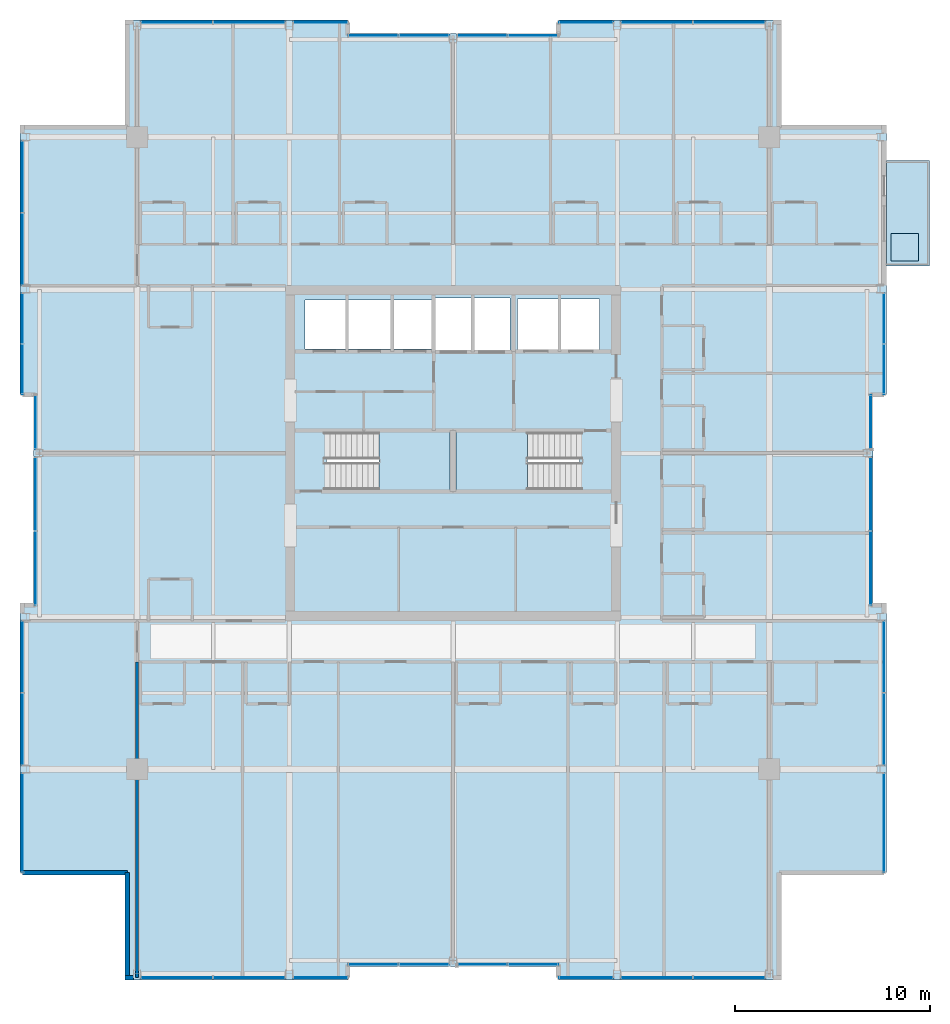
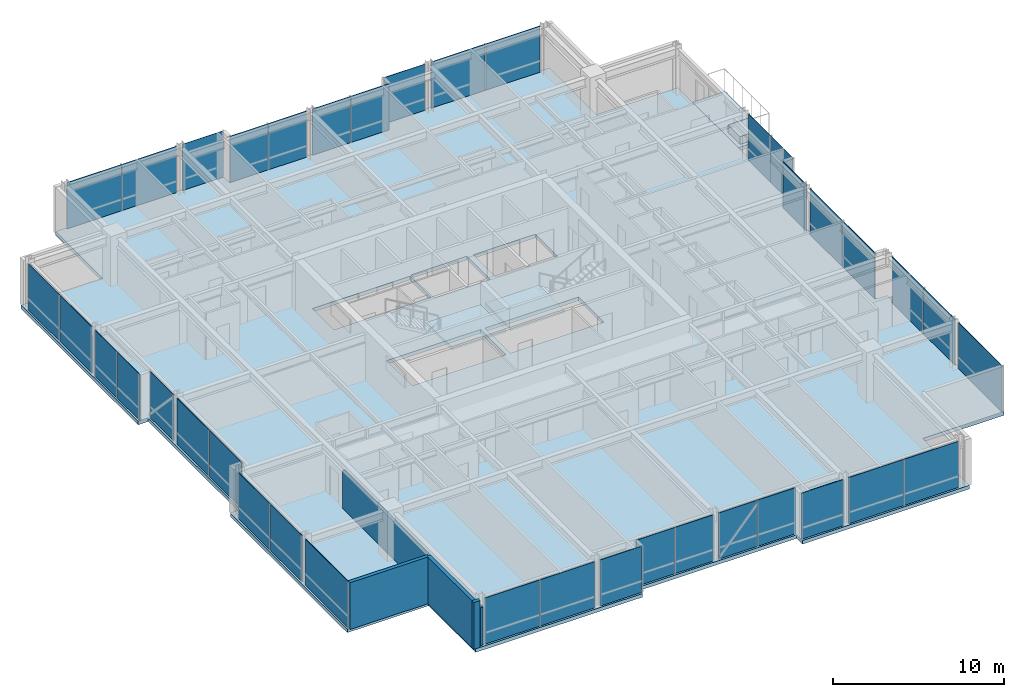
# One storey, part 25 of 33: 38 plates, 5 slabs, 4 walls, 25 elements without a shape of their own.
"""IFC4 building model written with IfcOpenShell, lengths in metres."""

from ifc_helpers import new_model, si_unit, direction, frame, frame_2d, origin, origin_2d, place, context, subcontext, project, spatial, polyline, rectangle, outline, extrude, material, layer, layer_set, type_object, element, aggregate, save


model = new_model("IFC4")

# Units and contexts
model_context = context("Model", 3, precision=1e-05, world=origin(), true_north=direction((0.0, 1.0)))
body_context = subcontext(model_context, "Body", "Model", "MODEL_VIEW")
ifc_project = project(units=[si_unit("LENGTHUNIT", "METRE"), si_unit("AREAUNIT", "SQUARE_METRE"), si_unit("VOLUMEUNIT", "CUBIC_METRE"), si_unit("PLANEANGLEUNIT", "RADIAN"), si_unit("MASSUNIT", "GRAM", prefix="KILO")], contexts=[model_context])

# Site, building, storey
site_placement = place(None, origin())
site = spatial("IfcSite", under=ifc_project, at=site_placement, CompositionType="ELEMENT")
building_placement = place(site_placement, origin())
building = spatial("IfcBuilding", under=site, at=building_placement, Name="Drelvath Grand Hotel", CompositionType="ELEMENT")
storey_placement = place(building_placement, frame((0.0, 0.0, 212.300048828125)))
storey = spatial("IfcBuildingStorey", under=building, at=storey_placement, Name="L55", CompositionType="ELEMENT", Elevation=212.300048828125)

# Slabs
ifc_material_1 = material(Name="Concrete f'c 40 MPa", Category="concrete")
ifc_layer_1 = layer(ifc_material_1, 0.239990234375)
ifc_layer_set_1 = layer_set([ifc_layer_1], Name="Concrete f'c 40 MPa")
slab_type_1 = type_object("IfcSlabType", Name="Cantilevered Tree Balcony Slab 240", PredefinedType="FLOOR", material=ifc_layer_set_1)
slab_1_placement = place(storey_placement, frame((0.0, 0.0, -0.239990234375)))
element("IfcSlab", 1, at=slab_1_placement, inside=storey, type_object=slab_type_1, Name="L55 Cantilevered Tree Balcony Slab 1", PredefinedType="FLOOR", context=body_context, shape_type="SweptSolid", body=[
    extrude(outline(polyline([(22.199951171875, 36.60009765625), (24.39990234375, 36.60009765625), (24.39990234375, 42.0), (22.199951171875, 42.0), (22.199951171875, 36.60009765625)])), origin(), (0.0, 0.0, 1.0), 0.239990234375),
])
ifc_layer_2 = layer(ifc_material_1, 0.260009765625)
ifc_layer_set_2 = layer_set([ifc_layer_2], Name="Concrete f'c 40 MPa")
slab_type_2 = type_object("IfcSlabType", Name="Composite RC Floor Slab 260", PredefinedType="FLOOR", material=ifc_layer_set_2)
slab_2_placement = place(storey_placement, frame((0.0, 0.0, -0.260009765625)))
element("IfcSlab", 2, at=slab_2_placement, inside=storey, type_object=slab_type_2, Name="L55 Structural Floor Slab", PredefinedType="FLOOR", context=body_context, shape_type="SweptSolid", body=[
    extrude(outline(polyline([(-16.699951171875, 0.0), (-5.39990234375, 0.0), (-5.39990234375, 0.679931640625), (5.39990234375, 0.679931640625), (5.39990234375, 0.0), (16.699951171875, 0.0), (16.699951171875, 5.5), (22.199951171875, 5.5), (22.199951171875, 19.199951171875), (21.52001953125, 19.199951171875), (21.52001953125, 30.0), (22.199951171875, 30.0), (22.199951171875, 43.699951171875), (16.699951171875, 43.699951171875), (16.699951171875, 49.199951171875), (5.39990234375, 49.199951171875), (5.39990234375, 48.52001953125), (-5.39990234375, 48.52001953125), (-5.39990234375, 49.199951171875), (-16.699951171875, 49.199951171875), (-16.699951171875, 43.699951171875), (-22.199951171875, 43.699951171875), (-22.199951171875, 30.0), (-21.52001953125, 30.0), (-21.52001953125, 19.199951171875), (-22.199951171875, 19.199951171875), (-22.199951171875, 5.5), (-16.699951171875, 5.5), (-16.699951171875, 0.0)]), holes=[polyline([(-6.47998046875, 25.1201171875), (-6.47998046875, 28.080078125), (-0.14990234375, 28.080078125), (-0.14990234375, 25.1201171875), (-6.47998046875, 25.1201171875)]), polyline([(0.14990234375, 25.1201171875), (0.14990234375, 28.080078125), (6.47998046875, 28.080078125), (6.47998046875, 25.1201171875), (0.14990234375, 25.1201171875)]), polyline([(-7.60009765625, 32.35009765625), (-7.60009765625, 34.85009765625), (-1.02001953125, 34.85009765625), (-1.02001953125, 32.35009765625), (-7.60009765625, 32.35009765625)]), polyline([(-0.89990234375, 32.25), (-0.89990234375, 34.949951171875), (2.89990234375, 34.949951171875), (2.89990234375, 32.25), (-0.89990234375, 32.25)]), polyline([(3.300048828125, 32.300048828125), (3.300048828125, 34.89990234375), (7.5, 34.89990234375), (7.5, 32.300048828125), (3.300048828125, 32.300048828125)])]), origin(), (0.0, 0.0, 1.0), 0.260009765625),
])

# Stair, slab
ifc_material_2 = material(Name="Concrete C40/50", Category="concrete")
stair_type = type_object("IfcStairType", Name="Dogleg Exit Stair W1400-R163.6", PredefinedType="HALF_TURN_STAIR", material=ifc_material_2)
stair_1_placement = place(storey_placement, origin())
stair_1 = element("IfcStair", 3, at=stair_1_placement, inside=storey, type_object=stair_type, Name="L55 Core Exit Stair ST-1", PredefinedType="HALF_TURN_STAIR")
ifc_layer_3 = layer(ifc_material_2, 0.199951171875)
ifc_layer_set_3 = layer_set([ifc_layer_3], Name="Concrete C40/50")
slab_type_3 = type_object("IfcSlabType", Name="Concrete Stair Landing Slab 200", PredefinedType="LANDING", material=ifc_layer_set_3)
slab_3_placement = place(storey_placement, frame((0.0, 0.0, 1.599853515625)))
slab_3 = element("IfcSlab", 4, at=slab_3_placement, type_object=slab_type_3, Name="ST-1 landing 1", PredefinedType="LANDING", context=body_context, shape_type="SweptSolid", body=[
    extrude(outline(polyline([(-3.800048828125, 25.1201171875), (-0.14990234375, 25.1201171875), (-0.14990234375, 28.080078125), (-3.800048828125, 28.080078125), (-3.800048828125, 25.1201171875)])), origin(), (0.0, 0.0, 1.0), 0.2001953125),
])
aggregate(stair_1, [slab_3])

stair_2_placement = place(storey_placement, origin())
stair_2 = element("IfcStair", 5, at=stair_2_placement, inside=storey, type_object=stair_type, Name="L55 Core Exit Stair ST-2", PredefinedType="HALF_TURN_STAIR")
slab_4_placement = place(storey_placement, frame((0.0, 0.0, 1.599853515625)))
slab_4 = element("IfcSlab", 6, at=slab_4_placement, type_object=slab_type_3, Name="ST-2 landing 1", PredefinedType="LANDING", context=body_context, shape_type="SweptSolid", body=[
    extrude(outline(polyline([(3.800048828125, 28.080078125), (0.14990234375, 28.080078125), (0.14990234375, 25.1201171875), (3.800048828125, 25.1201171875), (3.800048828125, 28.080078125)])), origin(), (0.0, 0.0, 1.0), 0.2001953125),
])
aggregate(stair_2, [slab_4])

# Curtain wall, plate
ifc_material_3 = material(Name="Platinum-Mist Anodised Aluminium Frame", Category="aluminium")
ifc_layer_4 = layer(ifc_material_3, 0.199951171875)
ifc_layer_set_4 = layer_set([ifc_layer_4], Name="Platinum-Mist Anodised Aluminium Frame")
curtain_wall_type = type_object("IfcCurtainWallType", Name="Stick Curtain Wall CW-05 Platinum Mist High-Rise", PredefinedType="NOTDEFINED", material=ifc_layer_set_4)
curtain_wall_1_placement = place(storey_placement, origin())
curtain_wall_1 = element("IfcCurtainWall", 7, at=curtain_wall_1_placement, inside=storey, type_object=curtain_wall_type, Name="L55 CW-05 Curtain Wall CW05-L55-WS1", PredefinedType="NOTDEFINED")
ifc_material_4 = material(Name="Low-E Triple Silver High-Altitude Glass", Category="glass")
ifc_layer_5 = layer(ifc_material_4, 0.035888671875)
ifc_layer_set_5 = layer_set([ifc_layer_5], Name="Low-E Triple Silver High-Altitude Glass")
plate_type = type_object("IfcPlateType", Name="Curtain Wall Vision Panel CW-05 36mm", PredefinedType="CURTAIN_PANEL", material=ifc_layer_set_5)
plate_1_placement = place(storey_placement, frame((-22.080078125, 8.057373046875, 0.02001953125), z_axis=(0.0, 0.0, 1.0), x_axis=(0.0, 1.0, 0.0)))
plate_1 = element("IfcPlate", 8, at=plate_1_placement, type_object=plate_type, Name="CW05-L55-WS1 Glazed Panel 1", PredefinedType="CURTAIN_PANEL", context=body_context, shape_type="SweptSolid", body=[
    extrude(rectangle(XDim=5.07470703125, YDim=0.035888671875, at=origin_2d()), origin(), (0.0, 0.0, 1.0), 3.300048828125),
])
aggregate(curtain_wall_1, [plate_1])

# Curtain wall, plates
curtain_wall_2_placement = place(storey_placement, origin())
curtain_wall_2 = element("IfcCurtainWall", 9, at=curtain_wall_2_placement, inside=storey, type_object=curtain_wall_type, Name="L55 CW-05 Curtain Wall CW05-L55-WS2", PredefinedType="NOTDEFINED")
plate_2_placement = place(storey_placement, frame((-22.080078125, 12.842529296875, 0.02001953125), z_axis=(0.0, 0.0, 1.0), x_axis=(0.0, 1.0, 0.0)))
plate_2 = element("IfcPlate", 10, at=plate_2_placement, type_object=plate_type, Name="CW05-L55-WS2 Glazed Panel 1", PredefinedType="CURTAIN_PANEL", context=body_context, shape_type="SweptSolid", body=[
    extrude(rectangle(XDim=3.6748046875, YDim=0.035888671875, at=origin_2d()), origin(), (0.0, 0.0, 1.0), 3.300048828125),
])
plate_3_placement = place(storey_placement, frame((-22.080078125, 16.557373046875, 0.02001953125), z_axis=(0.0, 0.0, 1.0), x_axis=(0.0, 1.0, 0.0)))
plate_3 = element("IfcPlate", 11, at=plate_3_placement, type_object=plate_type, Name="CW05-L55-WS2 Glazed Panel 2", PredefinedType="CURTAIN_PANEL", context=body_context, shape_type="SweptSolid", body=[
    extrude(rectangle(XDim=3.6748046875, YDim=0.035888671875, at=origin_2d()), origin(), (0.0, 0.0, 1.0), 3.300048828125),
])
aggregate(curtain_wall_2, [plate_2, plate_3])

curtain_wall_3_placement = place(storey_placement, origin())
curtain_wall_3 = element("IfcCurtainWall", 12, at=curtain_wall_3_placement, inside=storey, type_object=curtain_wall_type, Name="L55 CW-05 Curtain Wall CW05-L55-WM1", PredefinedType="NOTDEFINED")
plate_4_placement = place(storey_placement, frame((-21.39990234375, 21.103759765625, 0.02001953125), z_axis=(0.0, 0.0, 1.0), x_axis=(0.0, 1.0, 0.0)))
plate_4 = element("IfcPlate", 13, at=plate_4_placement, type_object=plate_type, Name="CW05-L55-WM1 Glazed Panel 1", PredefinedType="CURTAIN_PANEL", context=body_context, shape_type="SweptSolid", body=[
    extrude(rectangle(XDim=3.767333984375, YDim=0.035888671875, at=origin_2d()), origin(), (0.0, 0.0, 1.0), 3.300048828125),
])
plate_5_placement = place(storey_placement, frame((-21.39990234375, 24.910888671875, 0.02001953125), z_axis=(0.0, 0.0, 1.0), x_axis=(0.0, 1.0, 0.0)))
plate_5 = element("IfcPlate", 14, at=plate_5_placement, type_object=plate_type, Name="CW05-L55-WM1 Glazed Panel 2", PredefinedType="CURTAIN_PANEL", context=body_context, shape_type="SweptSolid", body=[
    extrude(rectangle(XDim=3.767333984375, YDim=0.035888671875, at=origin_2d()), origin(), (0.0, 0.0, 1.0), 3.300048828125),
])
aggregate(curtain_wall_3, [plate_4, plate_5])

# Curtain wall, plate
curtain_wall_4_placement = place(storey_placement, origin())
curtain_wall_4 = element("IfcCurtainWall", 15, at=curtain_wall_4_placement, inside=storey, type_object=curtain_wall_type, Name="L55 CW-05 Curtain Wall CW05-L55-WM2", PredefinedType="NOTDEFINED")
plate_6_placement = place(storey_placement, frame((-21.39990234375, 28.592529296875, 0.02001953125), z_axis=(0.0, 0.0, 1.0), x_axis=(0.0, 1.0, 0.0)))
plate_6 = element("IfcPlate", 16, at=plate_6_placement, type_object=plate_type, Name="CW05-L55-WM2 Glazed Panel 1", PredefinedType="CURTAIN_PANEL", context=body_context, shape_type="SweptSolid", body=[
    extrude(rectangle(XDim=2.774658203125, YDim=0.035888671875, at=origin_2d()), origin(), (0.0, 0.0, 1.0), 3.300048828125),
])
aggregate(curtain_wall_4, [plate_6])

# Curtain wall, plates
curtain_wall_5_placement = place(storey_placement, origin())
curtain_wall_5 = element("IfcCurtainWall", 17, at=curtain_wall_5_placement, inside=storey, type_object=curtain_wall_type, Name="L55 CW-05 Curtain Wall CW05-L55-WN1", PredefinedType="NOTDEFINED")
plate_7_placement = place(storey_placement, frame((-22.080078125, 31.3037109375, 0.02001953125), z_axis=(0.0, 0.0, 1.0), x_axis=(0.0, 1.0, 0.0)))
plate_7 = element("IfcPlate", 18, at=plate_7_placement, type_object=plate_type, Name="CW05-L55-WN1 Glazed Panel 1", PredefinedType="CURTAIN_PANEL", context=body_context, shape_type="SweptSolid", body=[
    extrude(rectangle(XDim=2.5673828125, YDim=0.035888671875, at=origin_2d()), origin(), (0.0, 0.0, 1.0), 3.300048828125),
])
plate_8_placement = place(storey_placement, frame((-22.080078125, 33.9111328125, 0.02001953125), z_axis=(0.0, 0.0, 1.0), x_axis=(0.0, 1.0, 0.0)))
plate_8 = element("IfcPlate", 19, at=plate_8_placement, type_object=plate_type, Name="CW05-L55-WN1 Glazed Panel 2", PredefinedType="CURTAIN_PANEL", context=body_context, shape_type="SweptSolid", body=[
    extrude(rectangle(XDim=2.5673828125, YDim=0.035888671875, at=origin_2d()), origin(), (0.0, 0.0, 1.0), 3.300048828125),
])
aggregate(curtain_wall_5, [plate_7, plate_8])

curtain_wall_6_placement = place(storey_placement, origin())
curtain_wall_6 = element("IfcCurtainWall", 20, at=curtain_wall_6_placement, inside=storey, type_object=curtain_wall_type, Name="L55 CW-05 Curtain Wall CW05-L55-WN2", PredefinedType="NOTDEFINED")
plate_9_placement = place(storey_placement, frame((-22.080078125, 37.442626953125, 0.02001953125), z_axis=(0.0, 0.0, 1.0), x_axis=(0.0, 1.0, 0.0)))
plate_9 = element("IfcPlate", 21, at=plate_9_placement, type_object=plate_type, Name="CW05-L55-WN2 Glazed Panel 1", PredefinedType="CURTAIN_PANEL", context=body_context, shape_type="SweptSolid", body=[
    extrude(rectangle(XDim=3.6748046875, YDim=0.035888671875, at=origin_2d()), origin(), (0.0, 0.0, 1.0), 3.300048828125),
])
plate_10_placement = place(storey_placement, frame((-22.080078125, 41.157470703125, 0.02001953125), z_axis=(0.0, 0.0, 1.0), x_axis=(0.0, 1.0, 0.0)))
plate_10 = element("IfcPlate", 22, at=plate_10_placement, type_object=plate_type, Name="CW05-L55-WN2 Glazed Panel 2", PredefinedType="CURTAIN_PANEL", context=body_context, shape_type="SweptSolid", body=[
    extrude(rectangle(XDim=3.6748046875, YDim=0.035888671875, at=origin_2d()), origin(), (0.0, 0.0, 1.0), 3.300048828125),
])
aggregate(curtain_wall_6, [plate_9, plate_10])

curtain_wall_7_placement = place(storey_placement, origin())
curtain_wall_7 = element("IfcCurtainWall", 23, at=curtain_wall_7_placement, inside=storey, type_object=curtain_wall_type, Name="L55 CW-05 Curtain Wall CW05-L55-EN1", PredefinedType="NOTDEFINED")
plate_11_placement = place(storey_placement, frame((22.080078125, 33.9111328125, 0.02001953125), z_axis=(0.0, 0.0, 1.0), x_axis=(0.0, -1.0, 0.0)))
plate_11 = element("IfcPlate", 24, at=plate_11_placement, type_object=plate_type, Name="CW05-L55-EN1 Glazed Panel 1", PredefinedType="CURTAIN_PANEL", context=body_context, shape_type="SweptSolid", body=[
    extrude(rectangle(XDim=2.5673828125, YDim=0.035888671875, at=origin_2d()), origin(), (0.0, 0.0, 1.0), 3.300048828125),
])
plate_12_placement = place(storey_placement, frame((22.080078125, 31.3037109375, 0.02001953125), z_axis=(0.0, 0.0, 1.0), x_axis=(0.0, -1.0, 0.0)))
plate_12 = element("IfcPlate", 25, at=plate_12_placement, type_object=plate_type, Name="CW05-L55-EN1 Glazed Panel 2", PredefinedType="CURTAIN_PANEL", context=body_context, shape_type="SweptSolid", body=[
    extrude(rectangle(XDim=2.5673828125, YDim=0.035888671875, at=origin_2d()), origin(), (0.0, 0.0, 1.0), 3.300048828125),
])
aggregate(curtain_wall_7, [plate_11, plate_12])

curtain_wall_8_placement = place(storey_placement, origin())
curtain_wall_8 = element("IfcCurtainWall", 26, at=curtain_wall_8_placement, inside=storey, type_object=curtain_wall_type, Name="L55 CW-05 Curtain Wall CW05-L55-EM1", PredefinedType="NOTDEFINED")
plate_13_placement = place(storey_placement, frame((21.39990234375, 24.910888671875, 0.02001953125), z_axis=(0.0, 0.0, 1.0), x_axis=(0.0, -1.0, 0.0)))
plate_13 = element("IfcPlate", 27, at=plate_13_placement, type_object=plate_type, Name="CW05-L55-EM1 Glazed Panel 1", PredefinedType="CURTAIN_PANEL", context=body_context, shape_type="SweptSolid", body=[
    extrude(rectangle(XDim=3.767333984375, YDim=0.035888671875, at=origin_2d()), origin(), (0.0, 0.0, 1.0), 3.300048828125),
])
plate_14_placement = place(storey_placement, frame((21.39990234375, 21.103759765625, 0.02001953125), z_axis=(0.0, 0.0, 1.0), x_axis=(0.0, -1.0, 0.0)))
plate_14 = element("IfcPlate", 28, at=plate_14_placement, type_object=plate_type, Name="CW05-L55-EM1 Glazed Panel 2", PredefinedType="CURTAIN_PANEL", context=body_context, shape_type="SweptSolid", body=[
    extrude(rectangle(XDim=3.767333984375, YDim=0.035888671875, at=origin_2d()), origin(), (0.0, 0.0, 1.0), 3.300048828125),
])
aggregate(curtain_wall_8, [plate_13, plate_14])

# Curtain wall, plate
curtain_wall_9_placement = place(storey_placement, origin())
curtain_wall_9 = element("IfcCurtainWall", 29, at=curtain_wall_9_placement, inside=storey, type_object=curtain_wall_type, Name="L55 CW-05 Curtain Wall CW05-L55-EM2", PredefinedType="NOTDEFINED")
plate_15_placement = place(storey_placement, frame((21.39990234375, 28.592529296875, 0.02001953125), z_axis=(0.0, 0.0, 1.0), x_axis=(0.0, -1.0, 0.0)))
plate_15 = element("IfcPlate", 30, at=plate_15_placement, type_object=plate_type, Name="CW05-L55-EM2 Glazed Panel 1", PredefinedType="CURTAIN_PANEL", context=body_context, shape_type="SweptSolid", body=[
    extrude(rectangle(XDim=2.774658203125, YDim=0.035888671875, at=origin_2d()), origin(), (0.0, 0.0, 1.0), 3.300048828125),
])
aggregate(curtain_wall_9, [plate_15])

curtain_wall_10_placement = place(storey_placement, origin())
curtain_wall_10 = element("IfcCurtainWall", 31, at=curtain_wall_10_placement, inside=storey, type_object=curtain_wall_type, Name="L55 CW-05 Curtain Wall CW05-L55-ES1", PredefinedType="NOTDEFINED")
plate_16_placement = place(storey_placement, frame((22.080078125, 8.057373046875, 0.02001953125), z_axis=(0.0, 0.0, 1.0), x_axis=(0.0, -1.0, 0.0)))
plate_16 = element("IfcPlate", 32, at=plate_16_placement, type_object=plate_type, Name="CW05-L55-ES1 Glazed Panel 1", PredefinedType="CURTAIN_PANEL", context=body_context, shape_type="SweptSolid", body=[
    extrude(rectangle(XDim=5.07470703125, YDim=0.035888671875, at=origin_2d()), origin(), (0.0, 0.0, 1.0), 3.300048828125),
])
aggregate(curtain_wall_10, [plate_16])

# Curtain wall, plates
curtain_wall_11_placement = place(storey_placement, origin())
curtain_wall_11 = element("IfcCurtainWall", 33, at=curtain_wall_11_placement, inside=storey, type_object=curtain_wall_type, Name="L55 CW-05 Curtain Wall CW05-L55-ES2", PredefinedType="NOTDEFINED")
plate_17_placement = place(storey_placement, frame((22.080078125, 16.557373046875, 0.02001953125), z_axis=(0.0, 0.0, 1.0), x_axis=(0.0, -1.0, 0.0)))
plate_17 = element("IfcPlate", 34, at=plate_17_placement, type_object=plate_type, Name="CW05-L55-ES2 Glazed Panel 1", PredefinedType="CURTAIN_PANEL", context=body_context, shape_type="SweptSolid", body=[
    extrude(rectangle(XDim=3.6748046875, YDim=0.035888671875, at=origin_2d()), origin(), (0.0, 0.0, 1.0), 3.300048828125),
])
plate_18_placement = place(storey_placement, frame((22.080078125, 12.842529296875, 0.02001953125), z_axis=(0.0, 0.0, 1.0), x_axis=(0.0, -1.0, 0.0)))
plate_18 = element("IfcPlate", 35, at=plate_18_placement, type_object=plate_type, Name="CW05-L55-ES2 Glazed Panel 2", PredefinedType="CURTAIN_PANEL", context=body_context, shape_type="SweptSolid", body=[
    extrude(rectangle(XDim=3.6748046875, YDim=0.035888671875, at=origin_2d()), origin(), (0.0, 0.0, 1.0), 3.300048828125),
])
aggregate(curtain_wall_11, [plate_17, plate_18])

curtain_wall_12_placement = place(storey_placement, origin())
curtain_wall_12 = element("IfcCurtainWall", 36, at=curtain_wall_12_placement, inside=storey, type_object=curtain_wall_type, Name="L55 CW-05 Curtain Wall CW05-L55-NW2", PredefinedType="NOTDEFINED")
plate_19_placement = place(storey_placement, frame((-14.157470703125, 49.080078125, 0.02001953125), z_axis=(0.0, 0.0, 1.0), x_axis=(1.0, 0.0, 0.0)))
plate_19 = element("IfcPlate", 37, at=plate_19_placement, type_object=plate_type, Name="CW05-L55-NW2 Glazed Panel 1", PredefinedType="CURTAIN_PANEL", context=body_context, shape_type="SweptSolid", body=[
    extrude(rectangle(XDim=3.6748046875, YDim=0.035888671875, at=origin_2d()), origin(), (0.0, 0.0, 1.0), 3.300048828125),
])
plate_20_placement = place(storey_placement, frame((-10.442626953125, 49.080078125, 0.02001953125), z_axis=(0.0, 0.0, 1.0), x_axis=(1.0, 0.0, 0.0)))
plate_20 = element("IfcPlate", 38, at=plate_20_placement, type_object=plate_type, Name="CW05-L55-NW2 Glazed Panel 2", PredefinedType="CURTAIN_PANEL", context=body_context, shape_type="SweptSolid", body=[
    extrude(rectangle(XDim=3.6748046875, YDim=0.035888671875, at=origin_2d()), origin(), (0.0, 0.0, 1.0), 3.300048828125),
])
aggregate(curtain_wall_12, [plate_19, plate_20])

# Curtain wall, plate
curtain_wall_13_placement = place(storey_placement, origin())
curtain_wall_13 = element("IfcCurtainWall", 39, at=curtain_wall_13_placement, inside=storey, type_object=curtain_wall_type, Name="L55 CW-05 Curtain Wall CW05-L55-NW3", PredefinedType="NOTDEFINED")
plate_21_placement = place(storey_placement, frame((-6.807373046875, 49.080078125, 0.02001953125), z_axis=(0.0, 0.0, 1.0), x_axis=(1.0, 0.0, 0.0)))
plate_21 = element("IfcPlate", 40, at=plate_21_placement, type_object=plate_type, Name="CW05-L55-NW3 Glazed Panel 1", PredefinedType="CURTAIN_PANEL", context=body_context, shape_type="SweptSolid", body=[
    extrude(rectangle(XDim=2.774658203125, YDim=0.035888671875, at=origin_2d()), origin(), (0.0, 0.0, 1.0), 3.300048828125),
])
aggregate(curtain_wall_13, [plate_21])

# Curtain wall, plates
curtain_wall_14_placement = place(storey_placement, origin())
curtain_wall_14 = element("IfcCurtainWall", 41, at=curtain_wall_14_placement, inside=storey, type_object=curtain_wall_type, Name="L55 CW-05 Curtain Wall CW05-L55-NM1", PredefinedType="NOTDEFINED")
plate_22_placement = place(storey_placement, frame((-4.096435546875, 48.39990234375, 0.02001953125), z_axis=(0.0, 0.0, 1.0), x_axis=(1.0, 0.0, 0.0)))
plate_22 = element("IfcPlate", 42, at=plate_22_placement, type_object=plate_type, Name="CW05-L55-NM1 Glazed Panel 1", PredefinedType="CURTAIN_PANEL", context=body_context, shape_type="SweptSolid", body=[
    extrude(rectangle(XDim=2.5673828125, YDim=0.035888671875, at=origin_2d()), origin(), (0.0, 0.0, 1.0), 3.300048828125),
])
plate_23_placement = place(storey_placement, frame((-1.489013671875, 48.39990234375, 0.02001953125), z_axis=(0.0, 0.0, 1.0), x_axis=(1.0, 0.0, 0.0)))
plate_23 = element("IfcPlate", 43, at=plate_23_placement, type_object=plate_type, Name="CW05-L55-NM1 Glazed Panel 2", PredefinedType="CURTAIN_PANEL", context=body_context, shape_type="SweptSolid", body=[
    extrude(rectangle(XDim=2.5673828125, YDim=0.035888671875, at=origin_2d()), origin(), (0.0, 0.0, 1.0), 3.300048828125),
])
aggregate(curtain_wall_14, [plate_22, plate_23])

curtain_wall_15_placement = place(storey_placement, origin())
curtain_wall_15 = element("IfcCurtainWall", 44, at=curtain_wall_15_placement, inside=storey, type_object=curtain_wall_type, Name="L55 CW-05 Curtain Wall CW05-L55-NM2", PredefinedType="NOTDEFINED")
plate_24_placement = place(storey_placement, frame((1.489013671875, 48.39990234375, 0.02001953125), z_axis=(0.0, 0.0, 1.0), x_axis=(1.0, 0.0, 0.0)))
plate_24 = element("IfcPlate", 45, at=plate_24_placement, type_object=plate_type, Name="CW05-L55-NM2 Glazed Panel 1", PredefinedType="CURTAIN_PANEL", context=body_context, shape_type="SweptSolid", body=[
    extrude(rectangle(XDim=2.5673828125, YDim=0.035888671875, at=origin_2d()), origin(), (0.0, 0.0, 1.0), 3.300048828125),
])
plate_25_placement = place(storey_placement, frame((4.096435546875, 48.39990234375, 0.02001953125), z_axis=(0.0, 0.0, 1.0), x_axis=(1.0, 0.0, 0.0)))
plate_25 = element("IfcPlate", 46, at=plate_25_placement, type_object=plate_type, Name="CW05-L55-NM2 Glazed Panel 2", PredefinedType="CURTAIN_PANEL", context=body_context, shape_type="SweptSolid", body=[
    extrude(rectangle(XDim=2.5673828125, YDim=0.035888671875, at=origin_2d()), origin(), (0.0, 0.0, 1.0), 3.300048828125),
])
aggregate(curtain_wall_15, [plate_24, plate_25])

# Curtain wall, plate
curtain_wall_16_placement = place(storey_placement, origin())
curtain_wall_16 = element("IfcCurtainWall", 47, at=curtain_wall_16_placement, inside=storey, type_object=curtain_wall_type, Name="L55 CW-05 Curtain Wall CW05-L55-NE1", PredefinedType="NOTDEFINED")
plate_26_placement = place(storey_placement, frame((6.807373046875, 49.080078125, 0.02001953125), z_axis=(0.0, 0.0, 1.0), x_axis=(1.0, 0.0, 0.0)))
plate_26 = element("IfcPlate", 48, at=plate_26_placement, type_object=plate_type, Name="CW05-L55-NE1 Glazed Panel 1", PredefinedType="CURTAIN_PANEL", context=body_context, shape_type="SweptSolid", body=[
    extrude(rectangle(XDim=2.774658203125, YDim=0.035888671875, at=origin_2d()), origin(), (0.0, 0.0, 1.0), 3.300048828125),
])
aggregate(curtain_wall_16, [plate_26])

# Curtain wall, plates
curtain_wall_17_placement = place(storey_placement, origin())
curtain_wall_17 = element("IfcCurtainWall", 49, at=curtain_wall_17_placement, inside=storey, type_object=curtain_wall_type, Name="L55 CW-05 Curtain Wall CW05-L55-NE2", PredefinedType="NOTDEFINED")
plate_27_placement = place(storey_placement, frame((10.442626953125, 49.080078125, 0.02001953125), z_axis=(0.0, 0.0, 1.0), x_axis=(1.0, 0.0, 0.0)))
plate_27 = element("IfcPlate", 50, at=plate_27_placement, type_object=plate_type, Name="CW05-L55-NE2 Glazed Panel 1", PredefinedType="CURTAIN_PANEL", context=body_context, shape_type="SweptSolid", body=[
    extrude(rectangle(XDim=3.6748046875, YDim=0.035888671875, at=origin_2d()), origin(), (0.0, 0.0, 1.0), 3.300048828125),
])
plate_28_placement = place(storey_placement, frame((14.157470703125, 49.080078125, 0.02001953125), z_axis=(0.0, 0.0, 1.0), x_axis=(1.0, 0.0, 0.0)))
plate_28 = element("IfcPlate", 51, at=plate_28_placement, type_object=plate_type, Name="CW05-L55-NE2 Glazed Panel 2", PredefinedType="CURTAIN_PANEL", context=body_context, shape_type="SweptSolid", body=[
    extrude(rectangle(XDim=3.6748046875, YDim=0.035888671875, at=origin_2d()), origin(), (0.0, 0.0, 1.0), 3.300048828125),
])
aggregate(curtain_wall_17, [plate_27, plate_28])

# Curtain wall, plate
curtain_wall_18_placement = place(storey_placement, origin())
curtain_wall_18 = element("IfcCurtainWall", 52, at=curtain_wall_18_placement, inside=storey, type_object=curtain_wall_type, Name="L55 CW-05 Curtain Wall CW05-L55-SE1", PredefinedType="NOTDEFINED")
plate_29_placement = place(storey_placement, frame((6.807373046875, 0.1201171875, 0.02001953125), z_axis=(0.0, 0.0, 1.0), x_axis=(-1.0, 0.0, 0.0)))
plate_29 = element("IfcPlate", 53, at=plate_29_placement, type_object=plate_type, Name="CW05-L55-SE1 Glazed Panel 1", PredefinedType="CURTAIN_PANEL", context=body_context, shape_type="SweptSolid", body=[
    extrude(rectangle(XDim=2.774658203125, YDim=0.035888671875, at=origin_2d()), origin(), (0.0, 0.0, 1.0), 3.300048828125),
])
aggregate(curtain_wall_18, [plate_29])

# Curtain wall, plates
curtain_wall_19_placement = place(storey_placement, origin())
curtain_wall_19 = element("IfcCurtainWall", 54, at=curtain_wall_19_placement, inside=storey, type_object=curtain_wall_type, Name="L55 CW-05 Curtain Wall CW05-L55-SE2", PredefinedType="NOTDEFINED")
plate_30_placement = place(storey_placement, frame((14.157470703125, 0.1201171875, 0.02001953125), z_axis=(0.0, 0.0, 1.0), x_axis=(-1.0, 0.0, 0.0)))
plate_30 = element("IfcPlate", 55, at=plate_30_placement, type_object=plate_type, Name="CW05-L55-SE2 Glazed Panel 1", PredefinedType="CURTAIN_PANEL", context=body_context, shape_type="SweptSolid", body=[
    extrude(rectangle(XDim=3.6748046875, YDim=0.035888671875, at=origin_2d()), origin(), (0.0, 0.0, 1.0), 3.300048828125),
])
plate_31_placement = place(storey_placement, frame((10.442626953125, 0.1201171875, 0.02001953125), z_axis=(0.0, 0.0, 1.0), x_axis=(-1.0, 0.0, 0.0)))
plate_31 = element("IfcPlate", 56, at=plate_31_placement, type_object=plate_type, Name="CW05-L55-SE2 Glazed Panel 2", PredefinedType="CURTAIN_PANEL", context=body_context, shape_type="SweptSolid", body=[
    extrude(rectangle(XDim=3.6748046875, YDim=0.035888671875, at=origin_2d()), origin(), (0.0, 0.0, 1.0), 3.300048828125),
])
aggregate(curtain_wall_19, [plate_30, plate_31])

curtain_wall_20_placement = place(storey_placement, origin())
curtain_wall_20 = element("IfcCurtainWall", 57, at=curtain_wall_20_placement, inside=storey, type_object=curtain_wall_type, Name="L55 CW-05 Curtain Wall CW05-L55-SM1", PredefinedType="NOTDEFINED")
plate_32_placement = place(storey_placement, frame((-1.489013671875, 0.800048828125, 0.02001953125), z_axis=(0.0, 0.0, 1.0), x_axis=(-1.0, 0.0, 0.0)))
plate_32 = element("IfcPlate", 58, at=plate_32_placement, type_object=plate_type, Name="CW05-L55-SM1 Glazed Panel 1", PredefinedType="CURTAIN_PANEL", context=body_context, shape_type="SweptSolid", body=[
    extrude(rectangle(XDim=2.5673828125, YDim=0.035888671875, at=origin_2d()), origin(), (0.0, 0.0, 1.0), 3.300048828125),
])
plate_33_placement = place(storey_placement, frame((-4.096435546875, 0.800048828125, 0.02001953125), z_axis=(0.0, 0.0, 1.0), x_axis=(-1.0, 0.0, 0.0)))
plate_33 = element("IfcPlate", 59, at=plate_33_placement, type_object=plate_type, Name="CW05-L55-SM1 Glazed Panel 2", PredefinedType="CURTAIN_PANEL", context=body_context, shape_type="SweptSolid", body=[
    extrude(rectangle(XDim=2.5673828125, YDim=0.035888671875, at=origin_2d()), origin(), (0.0, 0.0, 1.0), 3.300048828125),
])
aggregate(curtain_wall_20, [plate_32, plate_33])

curtain_wall_21_placement = place(storey_placement, origin())
curtain_wall_21 = element("IfcCurtainWall", 60, at=curtain_wall_21_placement, inside=storey, type_object=curtain_wall_type, Name="L55 CW-05 Curtain Wall CW05-L55-SM2", PredefinedType="NOTDEFINED")
plate_34_placement = place(storey_placement, frame((4.096435546875, 0.800048828125, 0.02001953125), z_axis=(0.0, 0.0, 1.0), x_axis=(-1.0, 0.0, 0.0)))
plate_34 = element("IfcPlate", 61, at=plate_34_placement, type_object=plate_type, Name="CW05-L55-SM2 Glazed Panel 1", PredefinedType="CURTAIN_PANEL", context=body_context, shape_type="SweptSolid", body=[
    extrude(rectangle(XDim=2.5673828125, YDim=0.035888671875, at=origin_2d()), origin(), (0.0, 0.0, 1.0), 3.300048828125),
])
plate_35_placement = place(storey_placement, frame((1.489013671875, 0.800048828125, 0.02001953125), z_axis=(0.0, 0.0, 1.0), x_axis=(-1.0, 0.0, 0.0)))
plate_35 = element("IfcPlate", 62, at=plate_35_placement, type_object=plate_type, Name="CW05-L55-SM2 Glazed Panel 2", PredefinedType="CURTAIN_PANEL", context=body_context, shape_type="SweptSolid", body=[
    extrude(rectangle(XDim=2.5673828125, YDim=0.035888671875, at=origin_2d()), origin(), (0.0, 0.0, 1.0), 3.300048828125),
])
aggregate(curtain_wall_21, [plate_34, plate_35])

curtain_wall_22_placement = place(storey_placement, origin())
curtain_wall_22 = element("IfcCurtainWall", 63, at=curtain_wall_22_placement, inside=storey, type_object=curtain_wall_type, Name="L55 CW-05 Curtain Wall CW05-L55-SW2", PredefinedType="NOTDEFINED")
plate_36_placement = place(storey_placement, frame((-10.442626953125, 0.1201171875, 0.02001953125), z_axis=(0.0, 0.0, 1.0), x_axis=(-1.0, 0.0, 0.0)))
plate_36 = element("IfcPlate", 64, at=plate_36_placement, type_object=plate_type, Name="CW05-L55-SW2 Glazed Panel 1", PredefinedType="CURTAIN_PANEL", context=body_context, shape_type="SweptSolid", body=[
    extrude(rectangle(XDim=3.6748046875, YDim=0.035888671875, at=origin_2d()), origin(), (0.0, 0.0, 1.0), 3.300048828125),
])
plate_37_placement = place(storey_placement, frame((-14.157470703125, 0.1201171875, 0.02001953125), z_axis=(0.0, 0.0, 1.0), x_axis=(-1.0, 0.0, 0.0)))
plate_37 = element("IfcPlate", 65, at=plate_37_placement, type_object=plate_type, Name="CW05-L55-SW2 Glazed Panel 2", PredefinedType="CURTAIN_PANEL", context=body_context, shape_type="SweptSolid", body=[
    extrude(rectangle(XDim=3.6748046875, YDim=0.035888671875, at=origin_2d()), origin(), (0.0, 0.0, 1.0), 3.300048828125),
])
aggregate(curtain_wall_22, [plate_36, plate_37])

# Curtain wall, plate
curtain_wall_23_placement = place(storey_placement, origin())
curtain_wall_23 = element("IfcCurtainWall", 66, at=curtain_wall_23_placement, inside=storey, type_object=curtain_wall_type, Name="L55 CW-05 Curtain Wall CW05-L55-SW3", PredefinedType="NOTDEFINED")
plate_38_placement = place(storey_placement, frame((-6.807373046875, 0.1201171875, 0.02001953125), z_axis=(0.0, 0.0, 1.0), x_axis=(-1.0, 0.0, 0.0)))
plate_38 = element("IfcPlate", 67, at=plate_38_placement, type_object=plate_type, Name="CW05-L55-SW3 Glazed Panel 1", PredefinedType="CURTAIN_PANEL", context=body_context, shape_type="SweptSolid", body=[
    extrude(rectangle(XDim=2.774658203125, YDim=0.035888671875, at=origin_2d()), origin(), (0.0, 0.0, 1.0), 3.300048828125),
])
aggregate(curtain_wall_23, [plate_38])

# Slab
ifc_layer_6 = layer(ifc_material_1, 0.550048828125)
ifc_layer_set_6 = layer_set([ifc_layer_6], Name="Concrete f'c 40 MPa")
slab_type_4 = type_object("IfcSlabType", Name="Structural Tree Planter Box 550", PredefinedType="USERDEFINED", material=ifc_layer_set_6)
slab_5_placement = place(storey_placement, origin())
element("IfcSlab", 68, at=slab_5_placement, inside=storey, type_object=slab_type_4, Name="L55 Tree Balcony Structural Planter 1", ObjectType="PLANTER", PredefinedType="USERDEFINED", context=body_context, shape_type="SweptSolid", body=[
    extrude(outline(polyline([(22.449951171875, 36.85009765625), (23.85009765625, 36.85009765625), (23.85009765625, 38.25), (22.449951171875, 38.25), (22.449951171875, 36.85009765625)])), origin(), (0.0, 0.0, 1.0), 0.550048828125),
])

# Walls
ifc_material_5 = material(Name="Gypsum Acoustic Partition")
ifc_layer_7 = layer(ifc_material_5, 0.1650390625)
ifc_layer_set_7 = layer_set([ifc_layer_7], Name="Gypsum Acoustic Partition")
wall_type_1 = type_object("IfcWallType", Name="Suite Demising Wall 165", PredefinedType="PARTITIONING", material=ifc_layer_set_7)
wall_1_placement = place(storey_placement, frame((-16.199951171875, 0.1201171875, 0.0), z_axis=(0.0, 0.0, 1.0), x_axis=(0.0, 1.0, 0.0)))
element("IfcWall", 69, at=wall_1_placement, inside=storey, type_object=wall_type_1, Name="L55 SW Suite Wall", PredefinedType="PARTITIONING", context=body_context, shape_type="SweptSolid", body=[
    extrude(rectangle(XDim=16.179931640625, YDim=0.1650390625, at=frame_2d((8.08984375, 0.0))), origin(), (0.0, 0.0, 1.0), 2.7138671875),
])
ifc_material_6 = material(Name="Pale-Metal Insulated Aluminium Spandrel Assembly", Category="aluminium")
ifc_layer_8 = layer(ifc_material_6, 0.239990234375)
ifc_layer_set_8 = layer_set([ifc_layer_8], Name="Pale-Metal Insulated Aluminium Spandrel Assembly")
wall_type_2 = type_object("IfcWallType", Name="Tower Insulated Metal Spandrel Closure Wall 240", PredefinedType="STANDARD", material=ifc_layer_set_8)
wall_2_placement = place(storey_placement, frame((-16.38525390625, 0.1201171875, 0.0), z_axis=(0.0, 0.0, 1.0), x_axis=(-1.0, 0.0, 0.0)))
element("IfcWall", 70, at=wall_2_placement, inside=storey, type_object=wall_type_2, Name="L55 Corner Pier Spandrel Wall SW1", PredefinedType="STANDARD", context=body_context, shape_type="SweptSolid", body=[
    extrude(rectangle(XDim=0.434814453125, YDim=0.239990234375, at=frame_2d((0.21728515625, 0.0))), origin(), (0.0, 0.0, 1.0), 3.33984375),
])
wall_3_placement = place(storey_placement, frame((-16.699951171875, 0.239990234375, 0.0), z_axis=(0.0, 0.0, 1.0), x_axis=(0.0, 1.0, 0.0)))
element("IfcWall", 71, at=wall_3_placement, inside=storey, type_object=wall_type_2, Name="L55 Notched Corner Return Spandrel Wall CSW1", PredefinedType="STANDARD", context=body_context, shape_type="SweptSolid", body=[
    extrude(rectangle(XDim=5.260009765625, YDim=0.239990234375, at=frame_2d((2.6298828125, 0.0))), origin(), (0.0, 0.0, 1.0), 3.33984375),
])
wall_4_placement = place(storey_placement, frame((-16.699951171875, 5.5, 0.0), z_axis=(0.0, 0.0, 1.0), x_axis=(-1.0, 0.0, 0.0)))
element("IfcWall", 72, at=wall_4_placement, inside=storey, type_object=wall_type_2, Name="L55 Notched Corner Return Spandrel Wall CSW2", PredefinedType="STANDARD", context=body_context, shape_type="SweptSolid", body=[
    extrude(rectangle(XDim=5.380126953125, YDim=0.239990234375, at=frame_2d((2.68994140625, 0.0))), origin(), (0.0, 0.0, 1.0), 3.33984375),
])

save(model, "model.ifc")
